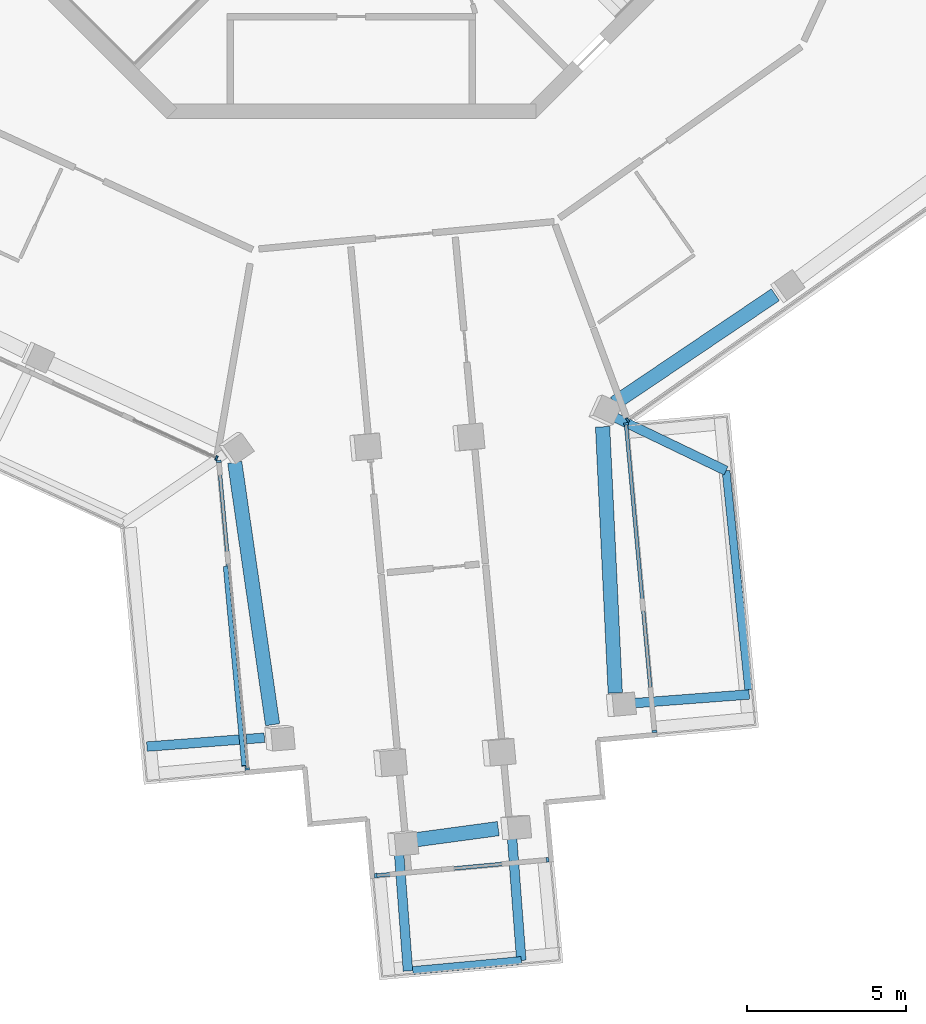
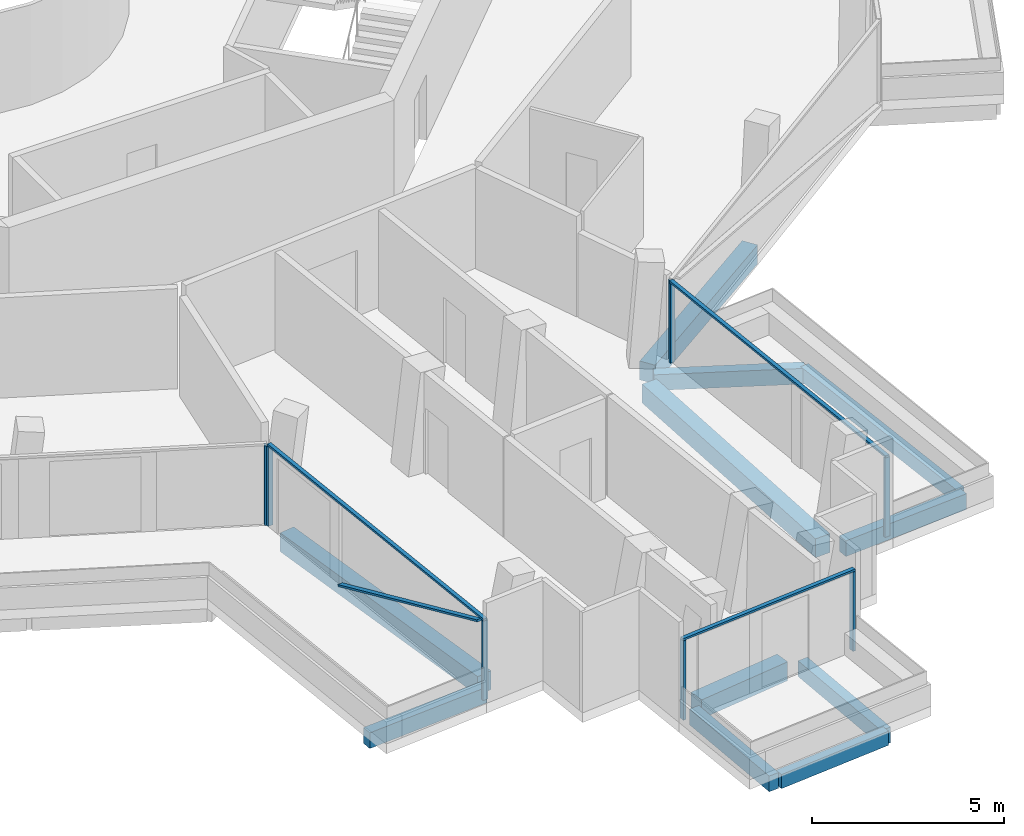
# One storey, part 3 of 25: 12 members, 11 beams, 5 elements without a shape of their own.
"""IFC4 building model written with IfcOpenShell, lengths in metres."""

from ifc_helpers import new_model, si_unit, direction, frame, origin, origin_2d, place, context, subcontext, project, spatial, rectangle, extrude, material, layer, layer_set, material_profile, profile_set, type_object, element, aggregate, save


model = new_model("IFC4")

# Units and contexts
model_context = context("Model", 3, precision=1e-05, world=origin(), true_north=direction((0.0, 1.0)))
body_context = subcontext(model_context, "Body", "Model", "MODEL_VIEW")
ifc_project = project(units=[si_unit("LENGTHUNIT", "METRE"), si_unit("AREAUNIT", "SQUARE_METRE"), si_unit("VOLUMEUNIT", "CUBIC_METRE"), si_unit("PLANEANGLEUNIT", "RADIAN"), si_unit("MASSUNIT", "GRAM", prefix="KILO")], contexts=[model_context])

# Site, building, storey
site_placement = place(None, origin())
site = spatial("IfcSite", under=ifc_project, at=site_placement, CompositionType="ELEMENT")
building_placement = place(site_placement, origin())
building = spatial("IfcBuilding", under=site, at=building_placement, Name="Verdalira Terraces Hotel", CompositionType="ELEMENT")
storey_placement = place(building_placement, frame((0.0, 0.0, 299.5)))
storey = spatial("IfcBuildingStorey", under=building, at=storey_placement, Name="L74", CompositionType="ELEMENT", Elevation=299.5)

# Beams
ifc_material_1 = material(Name="Concrete C40", Category="concrete")
ifc_material_profile_1 = material_profile(ifc_material_1, rectangle(XDim=0.300049, YDim=0.5, at=origin_2d()), Name="RC 300X500")
ifc_profile_set_1 = profile_set([ifc_material_profile_1], Name="Concrete C40")
beam_type_1 = type_object("IfcBeamType", Name="Balcony cantilever beam RC 300X500 C40", PredefinedType="BEAM", material=ifc_profile_set_1)
beam_1_placement = place(storey_placement, frame((-2.72998, -33.463135, -0.560059), z_axis=(-0.997160945, -0.075299729, 0.0), x_axis=(0.075299729, -0.997160945, 0.0)))
element("IfcBeam", 1, at=beam_1_placement, inside=storey, type_object=beam_type_1, Name="Balcony cantilever beam R13-1", PredefinedType="BEAM", context=body_context, shape_type="SweptSolid", body=[
    extrude(rectangle(XDim=0.300049, YDim=0.5, at=origin_2d()), origin(), (0.0, 0.0, 1.0), 3.702637),
])
beam_2_placement = place(storey_placement, frame((1.503174, -37.108887, -0.560059), z_axis=(0.075332054, -0.997158504, 0.0), x_axis=(0.997158504, 0.075332054, 0.0)))
element("IfcBeam", 2, at=beam_2_placement, inside=storey, type_object=beam_type_1, Name="Balcony cantilever beam R19-1", PredefinedType="BEAM", context=body_context, shape_type="SweptSolid", body=[
    extrude(rectangle(XDim=0.300049, YDim=0.5, at=origin_2d()), origin(), (0.0, 0.0, 1.0), 3.69458),
])
beam_3_placement = place(storey_placement, frame((5.053711, -36.624268, -0.560059), z_axis=(0.075329046, -0.997158731, 0.0), x_axis=(0.997158731, 0.075329046, 0.0)))
element("IfcBeam", 3, at=beam_3_placement, inside=storey, type_object=beam_type_1, Name="Balcony cantilever beam R19-2", PredefinedType="BEAM", context=body_context, shape_type="SweptSolid", body=[
    extrude(rectangle(XDim=0.300049, YDim=0.5, at=origin_2d()), origin(), (0.0, 0.0, 1.0), 3.850342),
])
beam_4_placement = place(storey_placement, frame((8.699707, -32.390869, -0.560059), z_axis=(0.997159592, 0.075317646, 0.0), x_axis=(-0.075317646, 0.997159592, 0.0)))
element("IfcBeam", 4, at=beam_4_placement, inside=storey, type_object=beam_type_1, Name="Balcony cantilever beam R24-1", PredefinedType="BEAM", context=body_context, shape_type="SweptSolid", body=[
    extrude(rectangle(XDim=0.300049, YDim=0.5, at=origin_2d()), origin(), (0.0, 0.0, 1.0), 3.818359),
])
beam_5_placement = place(storey_placement, frame((8.217041, -23.360596, -0.560059), z_axis=(0.901242213, -0.433315674, 0.0), x_axis=(0.433315674, 0.901242213, 0.0)))
element("IfcBeam", 5, at=beam_5_placement, inside=storey, type_object=beam_type_1, Name="Balcony cantilever beam R24-2", PredefinedType="BEAM", context=body_context, shape_type="SweptSolid", body=[
    extrude(rectangle(XDim=0.300049, YDim=0.5, at=origin_2d()), origin(), (0.0, 0.0, 1.0), 3.950195),
])
ifc_material_2 = material(Name="Concrete C40", Category="concrete")
ifc_material_profile_2 = material_profile(ifc_material_2, rectangle(XDim=0.25, YDim=0.449951, at=origin_2d()), Name="RC 250X450")
ifc_profile_set_2 = profile_set([ifc_material_profile_2], Name="Concrete C40")
beam_type_2 = type_object("IfcBeamType", Name="Balcony edge beam RC 250X450 C40", PredefinedType="BEAM", material=ifc_profile_set_2)
beam_6_placement = place(storey_placement, frame((1.930908, -40.779297, -0.534912), z_axis=(0.99574951, 0.092102734, 0.0), x_axis=(-0.092102734, 0.99574951, 0.0)))
element("IfcBeam", 6, at=beam_6_placement, inside=storey, type_object=beam_type_2, Name="Balcony edge beam R19-1", PredefinedType="BEAM", context=body_context, shape_type="SweptSolid", body=[
    extrude(rectangle(XDim=0.25, YDim=0.449951, at=origin_2d()), origin(), (0.0, 0.0, 1.0), 3.42749),
])
beam_7_placement = place(storey_placement, frame((12.491699, -31.954102, -0.534912), z_axis=(-0.103283184, 0.994651991, 0.0), x_axis=(-0.994651991, -0.103283184, 0.0)))
element("IfcBeam", 7, at=beam_7_placement, inside=storey, type_object=beam_type_2, Name="Balcony edge beam R24-1", PredefinedType="BEAM", context=body_context, shape_type="SweptSolid", body=[
    extrude(rectangle(XDim=0.25, YDim=0.449951, at=origin_2d()), origin(), (0.0, 0.0, 1.0), 6.918945),
])

# Curtain wall, member
ifc_material_3 = material(Name="Clear glass", Category="glass")
ifc_layer_1 = layer(ifc_material_3, 0.14990234375)
ifc_layer_set_1 = layer_set([ifc_layer_1], Name="CW1 curtain wall")
curtain_wall_type_1 = type_object("IfcCurtainWallType", Name="CW1 curtain wall", PredefinedType="NOTDEFINED", material=ifc_layer_set_1)
curtain_wall_1_placement = place(storey_placement, origin())
curtain_wall_1 = element("IfcCurtainWall", 8, at=curtain_wall_1_placement, inside=storey, type_object=curtain_wall_type_1, Name="CW1 curtain wall L74 edge 13", PredefinedType="NOTDEFINED")
ifc_material_4 = material(Name="Terracotta frame", Category="masonry")
ifc_material_profile_3 = material_profile(ifc_material_4, rectangle(XDim=0.060059, YDim=0.149902, at=origin_2d()), Name="MU 60x150")
ifc_profile_set_3 = profile_set([ifc_material_profile_3], Name="Terracotta frame")
member_type_1 = type_object("IfcMemberType", Name="CW1 mullion 60x150", PredefinedType="MULLION", material=ifc_profile_set_3)
member_1_placement = place(storey_placement, frame((-4.236084, -24.672852, 0.0), z_axis=(0.0, 0.0, 1.0), x_axis=(0.908362259, -0.418184178, 0.0)))
member_1 = element("IfcMember", 9, at=member_1_placement, type_object=member_type_1, Name="CW1 mullion", PredefinedType="MULLION", context=body_context, shape_type="SweptSolid", body=[
    extrude(rectangle(XDim=0.060059, YDim=0.149902, at=origin_2d()), origin(), (0.0, 0.0, 1.0), 2.524902),
])
aggregate(curtain_wall_1, [member_1])

curtain_wall_2_placement = place(storey_placement, origin())
curtain_wall_2 = element("IfcCurtainWall", 10, at=curtain_wall_2_placement, inside=storey, type_object=curtain_wall_type_1, Name="CW1 curtain wall L74 edge 25", PredefinedType="NOTDEFINED")
member_2_placement = place(storey_placement, frame((8.686035, -23.47876, 0.0), z_axis=(0.0, 0.0, 1.0), x_axis=(0.816339251, 0.577572703, 0.0)))
member_2 = element("IfcMember", 11, at=member_2_placement, type_object=member_type_1, Name="CW1 mullion", PredefinedType="MULLION", context=body_context, shape_type="SweptSolid", body=[
    extrude(rectangle(XDim=0.060059, YDim=0.149902, at=origin_2d()), origin(), (0.0, 0.0, 1.0), 2.524902),
])
aggregate(curtain_wall_2, [member_2])

# Curtain wall, members
ifc_material_5 = material(Name="Clear glass", Category="glass")
ifc_layer_2 = layer(ifc_material_5, 0.14990234375)
ifc_layer_set_2 = layer_set([ifc_layer_2], Name="CW2 curtain wall")
curtain_wall_type_2 = type_object("IfcCurtainWallType", Name="CW2 curtain wall", PredefinedType="NOTDEFINED", material=ifc_layer_set_2)
curtain_wall_3_placement = place(storey_placement, origin())
curtain_wall_3 = element("IfcCurtainWall", 12, at=curtain_wall_3_placement, inside=storey, type_object=curtain_wall_type_2, Name="CW2 curtain wall L74 edge 14", PredefinedType="NOTDEFINED")
ifc_material_6 = material(Name="Terracotta frame", Category="masonry")
ifc_material_profile_4 = material_profile(ifc_material_6, rectangle(XDim=0.070068, YDim=0.149902, at=origin_2d()), Name="MU 70x150")
ifc_profile_set_4 = profile_set([ifc_material_profile_4], Name="Terracotta frame")
member_type_2 = type_object("IfcMemberType", Name="CW2 mullion 70x150", PredefinedType="MULLION", material=ifc_profile_set_4)
member_3_placement = place(storey_placement, frame((-4.162109, -24.781494, 0.0), z_axis=(0.0, 0.0, 1.0), x_axis=(0.092023008, -0.995756881, 0.0)))
member_3 = element("IfcMember", 13, at=member_3_placement, type_object=member_type_2, Name="CW2 mullion", PredefinedType="MULLION", context=body_context, shape_type="SweptSolid", body=[
    extrude(rectangle(XDim=0.070068, YDim=0.149902, at=origin_2d()), origin(), (0.0, 0.0, 1.0), 2.524902),
])
member_4_placement = place(storey_placement, frame((-3.269043, -34.445801, 0.0), z_axis=(0.0, 0.0, 1.0), x_axis=(0.092023008, -0.995756881, 0.0)))
member_4 = element("IfcMember", 14, at=member_4_placement, type_object=member_type_2, Name="CW2 mullion", PredefinedType="MULLION", context=body_context, shape_type="SweptSolid", body=[
    extrude(rectangle(XDim=0.070068, YDim=0.149902, at=origin_2d()), origin(), (0.0, 0.0, 1.0), 2.524902),
])

curtain_wall_4_placement = place(storey_placement, origin())
curtain_wall_4 = element("IfcCurtainWall", 15, at=curtain_wall_4_placement, inside=storey, type_object=curtain_wall_type_2, Name="CW2 curtain wall L74 edge 24", PredefinedType="NOTDEFINED")
member_5_placement = place(storey_placement, frame((9.526367, -33.263184, 0.0), z_axis=(0.0, 0.0, 1.0), x_axis=(-0.092023008, 0.995756881, 0.0)))
member_5 = element("IfcMember", 16, at=member_5_placement, type_object=member_type_2, Name="CW2 mullion", PredefinedType="MULLION", context=body_context, shape_type="SweptSolid", body=[
    extrude(rectangle(XDim=0.070068, YDim=0.149902, at=origin_2d()), origin(), (0.0, 0.0, 1.0), 2.524902),
])
member_6_placement = place(storey_placement, frame((8.633301, -23.599121, 0.0), z_axis=(0.0, 0.0, 1.0), x_axis=(-0.092023008, 0.995756881, 0.0)))
member_6 = element("IfcMember", 17, at=member_6_placement, type_object=member_type_2, Name="CW2 mullion", PredefinedType="MULLION", context=body_context, shape_type="SweptSolid", body=[
    extrude(rectangle(XDim=0.070068, YDim=0.149902, at=origin_2d()), origin(), (0.0, 0.0, 1.0), 2.524902),
])

# Member
ifc_material_7 = material(Name="Terracotta frame", Category="masonry")
ifc_material_profile_5 = material_profile(ifc_material_7, rectangle(XDim=0.11499, YDim=0.064941, at=origin_2d()), Name="TR 65x115")
ifc_profile_set_5 = profile_set([ifc_material_profile_5], Name="Terracotta frame")
member_type_3 = type_object("IfcMemberType", Name="CW2 transom 65x115", PredefinedType="USERDEFINED", material=ifc_profile_set_5)
member_7_placement = place(storey_placement, frame((-4.165527, -24.746582, 2.557617), z_axis=(0.092030835, -0.995756158, 0.0), x_axis=(0.995756158, 0.092030835, 0.0)))
member_7 = element("IfcMember", 18, at=member_7_placement, type_object=member_type_3, Name="CW2 transom", ObjectType="TRANSOM", PredefinedType="USERDEFINED", context=body_context, shape_type="SweptSolid", body=[
    extrude(rectangle(XDim=0.11499, YDim=0.064941, at=origin_2d()), origin(), (0.0, 0.0, 1.0), 9.775635),
])

member_8_placement = place(storey_placement, frame((9.529541, -33.298096, 2.557617), z_axis=(-0.092008361, 0.995758235, 0.0), x_axis=(-0.995758235, -0.092008361, 0.0)))
member_8 = element("IfcMember", 19, at=member_8_placement, type_object=member_type_3, Name="CW2 transom", ObjectType="TRANSOM", PredefinedType="USERDEFINED", context=body_context, shape_type="SweptSolid", body=[
    extrude(rectangle(XDim=0.11499, YDim=0.064941, at=origin_2d()), origin(), (0.0, 0.0, 1.0), 9.775391),
])

aggregate(curtain_wall_4, [member_5, member_6, member_8])

# Curtain wall, members
ifc_material_8 = material(Name="Clear glass", Category="glass")
ifc_layer_3 = layer(ifc_material_8, 0.14990234375)
ifc_layer_set_3 = layer_set([ifc_layer_3], Name="CW3 curtain wall")
curtain_wall_type_3 = type_object("IfcCurtainWallType", Name="CW3 curtain wall", PredefinedType="NOTDEFINED", material=ifc_layer_set_3)
curtain_wall_5_placement = place(storey_placement, origin())
curtain_wall_5 = element("IfcCurtainWall", 20, at=curtain_wall_5_placement, inside=storey, type_object=curtain_wall_type_3, Name="CW3 curtain wall L74 edge 19", PredefinedType="NOTDEFINED")
ifc_material_9 = material(Name="Terracotta frame", Category="masonry")
ifc_material_profile_6 = material_profile(ifc_material_9, rectangle(XDim=0.080078, YDim=0.149902, at=origin_2d()), Name="MU 80x150")
ifc_profile_set_6 = profile_set([ifc_material_profile_6], Name="Terracotta frame")
member_type_4 = type_object("IfcMemberType", Name="CW3 mullion 80x150", PredefinedType="MULLION", material=ifc_profile_set_6)
member_9_placement = place(storey_placement, frame((0.771484, -37.798096, 0.0), z_axis=(0.0, 0.0, 1.0), x_axis=(0.995756881, 0.092023008, 0.0)))
member_9 = element("IfcMember", 21, at=member_9_placement, type_object=member_type_4, Name="CW3 mullion", PredefinedType="MULLION", context=body_context, shape_type="SweptSolid", body=[
    extrude(rectangle(XDim=0.080078, YDim=0.149902, at=origin_2d()), origin(), (0.0, 0.0, 1.0), 2.524902),
])
member_10_placement = place(storey_placement, frame((6.168457, -37.299316, 0.0), z_axis=(0.0, 0.0, 1.0), x_axis=(0.995756881, 0.092023008, 0.0)))
member_10 = element("IfcMember", 22, at=member_10_placement, type_object=member_type_4, Name="CW3 mullion", PredefinedType="MULLION", context=body_context, shape_type="SweptSolid", body=[
    extrude(rectangle(XDim=0.080078, YDim=0.149902, at=origin_2d()), origin(), (0.0, 0.0, 1.0), 2.524902),
])
ifc_material_10 = material(Name="Terracotta frame", Category="masonry")
ifc_material_profile_7 = material_profile(ifc_material_10, rectangle(XDim=0.120117, YDim=0.064941, at=origin_2d()), Name="TR 65x120")
ifc_profile_set_7 = profile_set([ifc_material_profile_7], Name="Terracotta frame")
member_type_5 = type_object("IfcMemberType", Name="CW3 transom 65x120", PredefinedType="USERDEFINED", material=ifc_profile_set_7)
member_11_placement = place(storey_placement, frame((0.731689, -37.801758, 2.557617), z_axis=(0.995757486, 0.092016461, 0.0), x_axis=(-0.092016461, 0.995757486, 0.0)))
member_11 = element("IfcMember", 23, at=member_11_placement, type_object=member_type_5, Name="CW3 transom", ObjectType="TRANSOM", PredefinedType="USERDEFINED", context=body_context, shape_type="SweptSolid", body=[
    extrude(rectangle(XDim=0.120117, YDim=0.064941, at=origin_2d()), origin(), (0.0, 0.0, 1.0), 5.500244),
])
aggregate(curtain_wall_5, [member_9, member_10, member_11])

# Member
ifc_material_11 = material(Name="Terracotta frame", Category="masonry")
ifc_material_profile_8 = material_profile(ifc_material_11, rectangle(XDim=0.149902, YDim=0.060059, at=origin_2d()), Name="GB 60x150")
ifc_profile_set_8 = profile_set([ifc_material_profile_8], Name="Terracotta frame")
member_type_6 = type_object("IfcMemberType", Name="Diagonal glazing bar 60x150", PredefinedType="USERDEFINED", material=ifc_profile_set_8)
member_12_placement = place(storey_placement, frame((-3.948486, -28.083984, 0.028564), z_axis=(0.085680738, -0.926949228, 0.365272418), x_axis=(0.995755247, 0.092040688, 0.0)))
member_12 = element("IfcMember", 24, at=member_12_placement, type_object=member_type_6, Name="Diagonal glazing bar", ObjectType="GLAZING BAR", PredefinedType="USERDEFINED", context=body_context, shape_type="SweptSolid", body=[
    extrude(rectangle(XDim=0.149902, YDim=0.060059, at=origin_2d()), origin(), (0.0, 0.0, 1.0), 6.755859),
])

aggregate(curtain_wall_3, [member_3, member_4, member_7, member_12])

# Beams
ifc_material_12 = material(Name="Concrete C40", Category="concrete")
ifc_material_profile_9 = material_profile(ifc_material_12, rectangle(XDim=0.449951, YDim=0.600098, at=origin_2d()), Name="RC 450X600")
ifc_profile_set_9 = profile_set([ifc_material_profile_9], Name="Concrete C40")
beam_type_3 = type_object("IfcBeamType", Name="Spandrel beam RC 450X600 C40", PredefinedType="SPANDREL", material=ifc_profile_set_9)
beam_8_placement = place(storey_placement, frame((-3.662842, -24.808105, -0.610107), z_axis=(0.142861248, -0.989742726, 0.0), x_axis=(0.989742726, 0.142861248, 0.0)))
element("IfcBeam", 25, at=beam_8_placement, inside=storey, type_object=beam_type_3, Name="Spandrel beam B10", PredefinedType="SPANDREL", context=body_context, shape_type="SweptSolid", body=[
    extrude(rectangle(XDim=0.449951, YDim=0.600098, at=origin_2d()), origin(), (0.0, 0.0, 1.0), 8.331055),
])
beam_9_placement = place(storey_placement, frame((1.801514, -36.700439, -0.610107), z_axis=(0.990966544, 0.134109317, 0.0), x_axis=(-0.134109317, 0.990966544, 0.0)))
element("IfcBeam", 26, at=beam_9_placement, inside=storey, type_object=beam_type_3, Name="Spandrel beam B11", PredefinedType="SPANDREL", context=body_context, shape_type="SweptSolid", body=[
    extrude(rectangle(XDim=0.449951, YDim=0.600098, at=origin_2d()), origin(), (0.0, 0.0, 1.0), 2.843506),
])
beam_10_placement = place(storey_placement, frame((8.296387, -32.056152, -0.610107), z_axis=(-0.047549913, 0.998868863, 0.0), x_axis=(-0.998868863, -0.047549913, 0.0)))
element("IfcBeam", 27, at=beam_10_placement, inside=storey, type_object=beam_type_3, Name="Spandrel beam B12", PredefinedType="SPANDREL", context=body_context, shape_type="SweptSolid", body=[
    extrude(rectangle(XDim=0.449951, YDim=0.600098, at=origin_2d()), origin(), (0.0, 0.0, 1.0), 8.374268),
])
beam_11_placement = place(storey_placement, frame((8.272705, -22.949707, -0.610107), z_axis=(0.829125218, 0.559062942, 0.0), x_axis=(-0.559062942, 0.829125218, 0.0)))
element("IfcBeam", 28, at=beam_11_placement, inside=storey, type_object=beam_type_3, Name="Spandrel beam B13", PredefinedType="SPANDREL", context=body_context, shape_type="SweptSolid", body=[
    extrude(rectangle(XDim=0.449951, YDim=0.600098, at=origin_2d()), origin(), (0.0, 0.0, 1.0), 6.097656),
])

save(model, "model.ifc")
